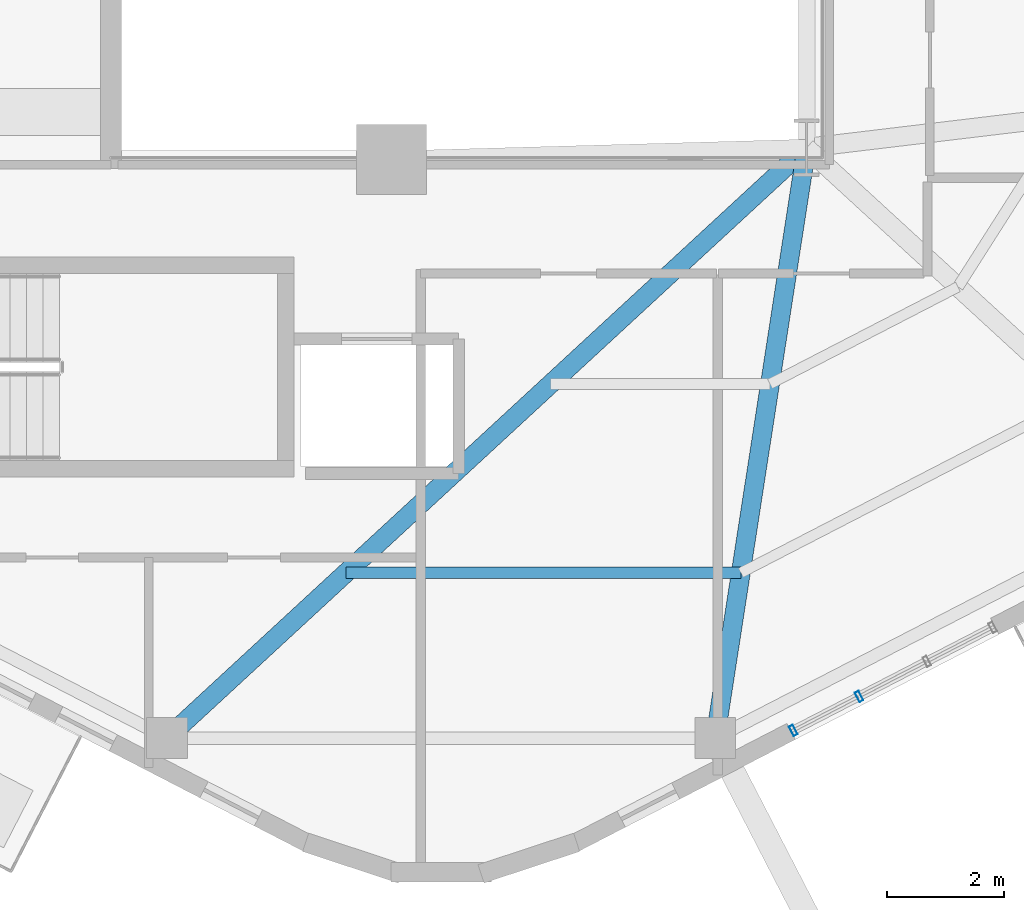
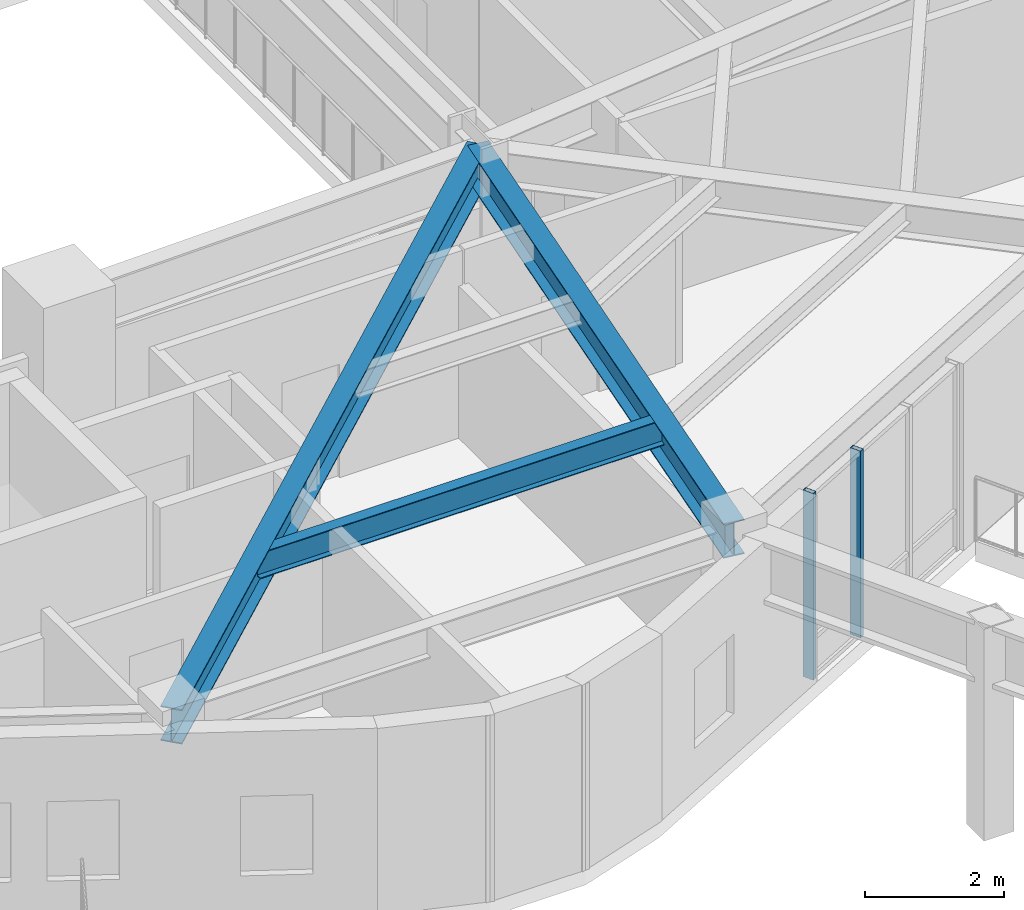
# One storey, part 2 of 10: 3 beams, 2 members, 1 element without a shape of its own.
"""IFC4 building model written with IfcOpenShell, lengths in metres."""

from ifc_helpers import new_model, si_unit, direction, frame, origin, origin_2d, place, context, subcontext, project, spatial, hollow_rectangle, i_section, extrude, material, layer, layer_set, material_profile, profile_set, type_object, element, aggregate, save


model = new_model("IFC4")

# Units and contexts
model_context = context("Model", 3, precision=1e-05, world=origin(), true_north=direction((0.0, 1.0)))
body_context = subcontext(model_context, "Body", "Model", "MODEL_VIEW")
ifc_project = project(units=[si_unit("LENGTHUNIT", "METRE"), si_unit("AREAUNIT", "SQUARE_METRE"), si_unit("VOLUMEUNIT", "CUBIC_METRE"), si_unit("PLANEANGLEUNIT", "RADIAN"), si_unit("MASSUNIT", "GRAM", prefix="KILO"), si_unit("THERMODYNAMICTEMPERATUREUNIT", "KELVIN"), si_unit("POWERUNIT", "WATT")], contexts=[model_context])

# Site, building, storey
site_placement = place(None, origin())
site = spatial("IfcSite", under=ifc_project, at=site_placement, CompositionType="ELEMENT")
building_placement = place(site_placement, origin())
building = spatial("IfcBuilding", under=site, at=building_placement, Name="Skarre Station Tower", CompositionType="ELEMENT")
storey_placement = place(building_placement, frame((0.0, 0.0, 227.699951171875)))
storey = spatial("IfcBuildingStorey", under=building, at=storey_placement, Name="L62", CompositionType="ELEMENT", Elevation=227.699951171875)

# Curtain wall, members
ifc_material_1 = material(Name="Thermally Broken Bronze-Anodized Aluminium & Triple Low-E Glass", Category="aluminium")
ifc_layer = layer(ifc_material_1, 0.18994140625, Name="Thermally Broken Bronze-Anodized Aluminium & Triple Low-E Glass")
ifc_layer_set = layer_set([ifc_layer], Name="Thermally Broken Bronze-Anodized Aluminium & Triple Low-E Glass")
curtain_wall_type = type_object("IfcCurtainWallType", Name="Sky-Garden Setback Conservatory Curtain Wall", PredefinedType="NOTDEFINED", material=ifc_layer_set)
curtain_wall_placement = place(storey_placement, origin())
curtain_wall = element("IfcCurtainWall", 1, at=curtain_wall_placement, inside=storey, type_object=curtain_wall_type, Name="L62 Facet 4 Conservatory Curtain Wall", PredefinedType="NOTDEFINED")
ifc_material_2 = material(Name="Anodized Aluminium 6063-T6", Category="aluminium")
ifc_material_profile_1 = material_profile(ifc_material_2, hollow_rectangle(XDim=0.074951171875, YDim=0.179931640625, WallThickness=0.00390625, at=origin_2d()), Name="Anodized Aluminium 6063-T6")
ifc_profile_set_1 = profile_set([ifc_material_profile_1], Name="Anodized Aluminium 6063-T6")
member_type = type_object("IfcMemberType", Name="Curtain-Wall Unitised Tower Mullion 180x75", PredefinedType="MULLION", material=ifc_profile_set_1)
member_1_placement = place(storey_placement, frame((40.34912109375, 9.26611328125, 0.0), z_axis=(0.0, 0.0, 1.0), x_axis=(-0.88848110948, -0.458913192332, 0.0)))
member_1 = element("IfcMember", 2, at=member_1_placement, type_object=member_type, Name="L62 Facet 4 Conservatory Curtain Wall Mullion 3", PredefinedType="MULLION", context=body_context, shape_type="SweptSolid", body=[
    extrude(hollow_rectangle(XDim=0.074951171875, YDim=0.179931640625, WallThickness=0.00390625, at=origin_2d()), origin(), (0.0, 0.0, 1.0), 3.2900390625),
])
member_2_placement = place(storey_placement, frame((39.22412109375, 8.68408203125, 0.0), z_axis=(0.0, 0.0, 1.0), x_axis=(-0.88848110948, -0.458913192332, 0.0)))
member_2 = element("IfcMember", 3, at=member_2_placement, type_object=member_type, Name="L62 Facet 4 Conservatory Curtain Wall Mullion 4", PredefinedType="MULLION", context=body_context, shape_type="SweptSolid", body=[
    extrude(hollow_rectangle(XDim=0.074951171875, YDim=0.179931640625, WallThickness=0.00390625, at=origin_2d()), origin(), (0.0, 0.0, 1.0), 3.2900390625),
])
aggregate(curtain_wall, [member_1, member_2])

# Beams
ifc_material_3 = material(Name="Steel ASTM A992 Grade 50", Category="steel")
ifc_material_profile_2 = material_profile(ifc_material_3, i_section(OverallWidth=0.323974609375, OverallDepth=0.611083984375, WebThickness=0.012939453125, FlangeThickness=0.01904296875, at=origin_2d()), Name="Steel ASTM A992 Grade 50")
ifc_profile_set_2 = profile_set([ifc_material_profile_2], Name="Steel ASTM A992 Grade 50")
beam_type_1 = type_object("IfcBeamType", Name="Steel Beam W24X104", PredefinedType="BEAM", material=ifc_profile_set_2)
beam_1_placement = place(storey_placement, frame((39.449951171875, 18.64990234375, 2.985107421875), z_axis=(-0.734822935818, -0.678258986668, 0.0), x_axis=(0.678258986668, -0.734822935818, 0.0)))
element("IfcBeam", 4, at=beam_1_placement, inside=storey, type_object=beam_type_1, Name="L62 Radial Floor Girder F3C2", PredefinedType="BEAM", context=body_context, shape_type="SweptSolid", body=[
    extrude(i_section(OverallWidth=0.323974609375, OverallDepth=0.611083984375, WebThickness=0.012939453125, FlangeThickness=0.01904296875, at=origin_2d()), origin(), (0.0, 0.0, 1.0), 14.886474609375),
])
beam_2_placement = place(storey_placement, frame((39.449951171875, 18.64990234375, 2.985107421875), z_axis=(-0.152789762931, -0.988258715288, 0.0), x_axis=(0.988258715288, -0.152789762931, 0.0)))
element("IfcBeam", 5, at=beam_2_placement, inside=storey, type_object=beam_type_1, Name="L62 Radial Floor Girder F4C1", PredefinedType="BEAM", context=body_context, shape_type="SweptSolid", body=[
    extrude(i_section(OverallWidth=0.323974609375, OverallDepth=0.611083984375, WebThickness=0.012939453125, FlangeThickness=0.01904296875, at=origin_2d()), origin(), (0.0, 0.0, 1.0), 10.216796875),
])
ifc_material_profile_3 = material_profile(ifc_material_3, i_section(OverallWidth=0.19091796875, OverallDepth=0.45703125, WebThickness=0.009033203125, FlangeThickness=0.013916015625, at=origin_2d()), Name="Steel ASTM A992 Grade 50")
ifc_profile_set_3 = profile_set([ifc_material_profile_3], Name="Steel ASTM A992 Grade 50")
beam_type_2 = type_object("IfcBeamType", Name="Steel Joist W18X50", PredefinedType="JOIST", material=ifc_profile_set_3)
beam_3_placement = place(storey_placement, frame((31.573974609375, 11.3798828125, 3.06201171875), z_axis=(1.0, 0.0, 0.0), x_axis=(0.0, 1.0, 0.0)))
element("IfcBeam", 6, at=beam_3_placement, inside=storey, type_object=beam_type_2, Name="L62 Auxiliary Composite Joist 10", PredefinedType="JOIST", context=body_context, shape_type="SweptSolid", body=[
    extrude(i_section(OverallWidth=0.19091796875, OverallDepth=0.45703125, WebThickness=0.009033203125, FlangeThickness=0.013916015625, at=origin_2d()), origin(), (0.0, 0.0, 1.0), 6.751953125),
])

save(model, "model.ifc")
